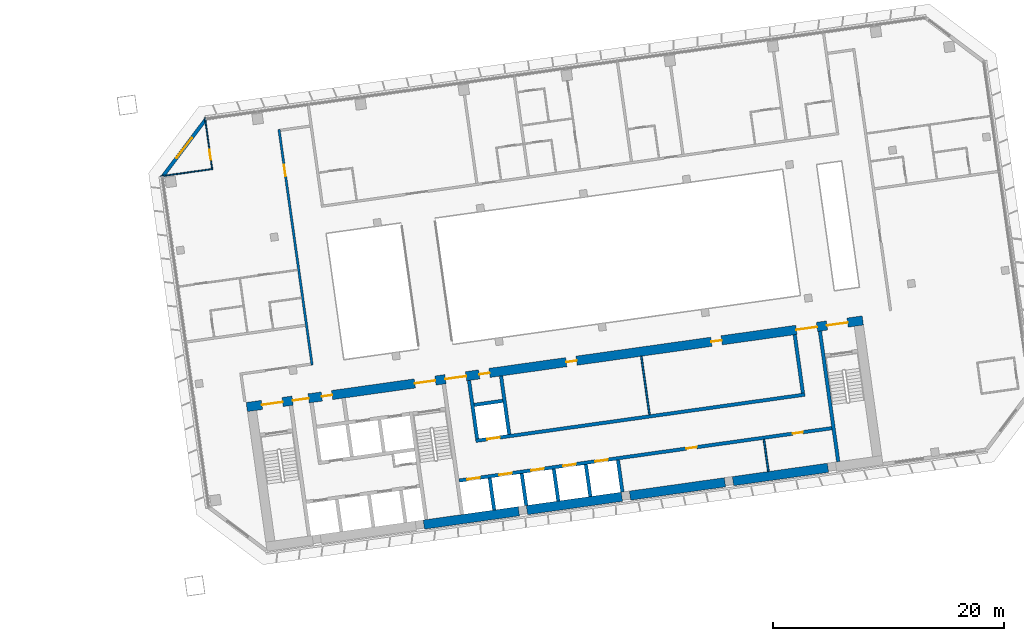
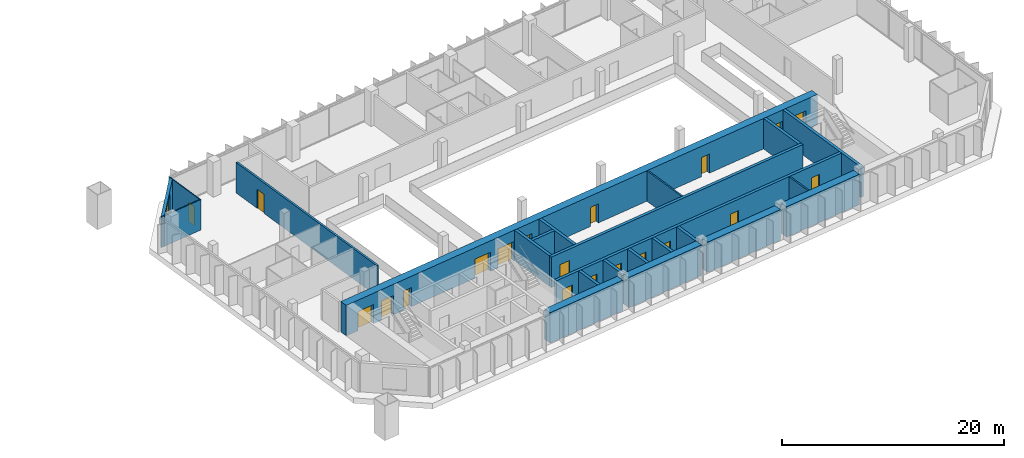
# One storey, part 19 of 25: 23 walls, 20 doors, 1 window, 21 openings.
"""IFC4 building model written with IfcOpenShell, lengths in metres."""

from ifc_helpers import new_model, si_unit, direction, frame, frame_2d, origin, place, context, subcontext, project, spatial, rectangle, extrude, material, layer, layer_set, type_object, element, fill, save


model = new_model("IFC4")

# Units and contexts
model_context = context("Model", 3, precision=1e-05, world=origin(), true_north=direction((0.0, 1.0)))
body_context = subcontext(model_context, "Body", "Model", "MODEL_VIEW")
ifc_project = project(units=[si_unit("LENGTHUNIT", "METRE"), si_unit("AREAUNIT", "SQUARE_METRE"), si_unit("VOLUMEUNIT", "CUBIC_METRE"), si_unit("PLANEANGLEUNIT", "RADIAN"), si_unit("MASSUNIT", "GRAM", prefix="KILO")], contexts=[model_context])

# Site, building, storey
site_placement = place(None, origin())
site = spatial("IfcSite", under=ifc_project, at=site_placement, CompositionType="ELEMENT")
building_placement = place(site_placement, origin())
building = spatial("IfcBuilding", under=site, at=building_placement, Name="Mirante Cascada Hotel Towers", CompositionType="ELEMENT")
storey_placement = place(building_placement, frame((0.0, 0.0, 129.1)))
storey = spatial("IfcBuildingStorey", under=building, at=storey_placement, Name="L29", CompositionType="ELEMENT", Elevation=129.1)

# Wall, opening, door
ifc_material_1 = material(Name="Fire-rated plasterboard on metal studs")
ifc_layer_1 = layer(ifc_material_1, 0.2)
ifc_layer_set_1 = layer_set([ifc_layer_1], Name="Compartment wall 200 EI 120")
wall_type_1 = type_object("IfcWallType", Name="Compartment wall 200 EI 120", PredefinedType="PARTITIONING", material=ifc_layer_set_1)
wall_1_placement = place(storey_placement, frame((41.083, -3.9768, 0.0), z_axis=(0.0, 0.0, 1.0), x_axis=(-0.1391749, 0.9902678, 0.0)))
wall_1 = element("IfcWall", 1, at=wall_1_placement, inside=storey, type_object=wall_type_1, Name="Wall 2-L29-28", PredefinedType="PARTITIONING", context=body_context, shape_type="SweptSolid", body=[
    extrude(rectangle(XDim=20.6, YDim=0.2, at=frame_2d((10.3, 0.0))), origin(), (0.0, 0.0, 1.0), 3.35),
])
opening_1_placement = place(wall_1_placement, frame((16.5, 0.0, 0.0)))
opening_1 = element("IfcOpeningElement", 2, at=opening_1_placement, cuts=wall_1, Name="Opening D2-L29-21", PredefinedType="OPENING", context=body_context, shape_type="SweptSolid", body=[
    extrude(rectangle(XDim=1.0, YDim=2.1, at=frame_2d((0.5, 1.05))), frame((0.0, 0.1, 0.0), z_axis=(0.0, -1.0, 0.0), x_axis=(1.0, 0.0, 0.0)), (0.0, 0.0, 1.0), 0.2),
])
ifc_material_2 = material(Name="Fire-rated timber door leaf", Category="wood")
door_type_1 = type_object("IfcDoorType", Name="Entrance door DG1 1000x2100 EI 60", OperationType="SINGLE_SWING_LEFT", PredefinedType="DOOR", material=ifc_material_2)
door_1_placement = place(opening_1_placement, origin())
door_1 = element("IfcDoor", 3, at=door_1_placement, inside=storey, type_object=door_type_1, Name="Door D2-L29-21", OperationType="SINGLE_SWING_LEFT", OverallHeight=2.1, OverallWidth=1.0, PredefinedType="DOOR", context=body_context, shape_type="SweptSolid", body=[
    extrude(rectangle(XDim=1.0, YDim=2.1, at=frame_2d((0.5, 1.05))), frame((0.0, 0.025, 0.0), z_axis=(0.0, -1.0, 0.0), x_axis=(1.0, 0.0, 0.0)), (0.0, 0.0, 1.0), 0.05),
])
fill(opening_1, door_1)

# Walls
ifc_material_3 = material(Name="Masonry block", Category="masonry")
ifc_layer_2 = layer(ifc_material_3, 0.15)
ifc_layer_set_2 = layer_set([ifc_layer_2], Name="Core room partition 150 block EI 30")
wall_type_2 = type_object("IfcWallType", Name="Core room partition 150 block EI 30", PredefinedType="PARTITIONING", material=ifc_layer_set_2)
wall_2_placement = place(storey_placement, frame((80.547, -13.174, 0.0), z_axis=(0.0, 0.0, 1.0), x_axis=(-0.139176, 0.9902677, 0.0)))
element("IfcWall", 4, at=wall_2_placement, inside=storey, type_object=wall_type_2, Name="Core wall partition T2 L29 4", PredefinedType="PARTITIONING", context=body_context, shape_type="SweptSolid", body=[
    extrude(rectangle(XDim=2.8001, YDim=0.15, at=frame_2d((1.4, 0.0))), origin(), (0.0, 0.0, 1.0), 3.35),
])
wall_3_placement = place(storey_placement, frame((70.2627, -8.2574, 0.0), z_axis=(0.0, 0.0, 1.0), x_axis=(-0.1391755, 0.9902677, 0.0)))
element("IfcWall", 5, at=wall_3_placement, inside=storey, type_object=wall_type_2, Name="Core wall partition T2 L29 5", PredefinedType="PARTITIONING", context=body_context, shape_type="SweptSolid", body=[
    extrude(rectangle(XDim=5.1, YDim=0.15, at=frame_2d((2.55, 0.0))), origin(), (0.0, 0.0, 1.0), 3.35),
])
ifc_material_4 = material(Name="Plasterboard on metal studs")
ifc_layer_3 = layer(ifc_material_4, 0.1)
ifc_layer_set_3 = layer_set([ifc_layer_3], Name="Partition 100")
wall_type_3 = type_object("IfcWallType", Name="Partition 100", PredefinedType="PARTITIONING", material=ifc_layer_set_3)
wall_4_placement = place(storey_placement, frame((27.982, 12.3589, 0.0), z_axis=(0.0, 0.0, 1.0), x_axis=(0.9902691, 0.1391656, 0.0)))
element("IfcWall", 6, at=wall_4_placement, inside=storey, type_object=wall_type_3, Name="Wall 2-L29-18", PredefinedType="PARTITIONING", context=body_context, shape_type="SweptSolid", body=[
    extrude(rectangle(XDim=4.55, YDim=0.1, at=frame_2d((2.275, 0.0))), origin(), (0.0, 0.0, 1.0), 3.35),
])

# Wall, opening, door
wall_5_placement = place(storey_placement, frame((31.8119, 17.4414, 0.0), z_axis=(0.0, 0.0, 1.0), x_axis=(0.1391684, -0.9902687, 0.0)))
wall_5 = element("IfcWall", 7, at=wall_5_placement, inside=storey, type_object=wall_type_3, Name="Wall 2-L29-25", PredefinedType="PARTITIONING", context=body_context, shape_type="SweptSolid", body=[
    extrude(rectangle(XDim=4.45, YDim=0.1, at=frame_2d((2.225, 0.0))), origin(), (0.0, 0.0, 1.0), 3.35),
])
opening_2_placement = place(wall_5_placement, frame((2.8, 0.0, 0.0)))
opening_2 = element("IfcOpeningElement", 8, at=opening_2_placement, cuts=wall_5, Name="Opening D2-L29-19", PredefinedType="OPENING", context=body_context, shape_type="SweptSolid", body=[
    extrude(rectangle(XDim=0.9, YDim=2.1, at=frame_2d((0.45, 1.05))), frame((0.0, 0.05, 0.0), z_axis=(0.0, -1.0, 0.0), x_axis=(1.0, 0.0, 0.0)), (0.0, 0.0, 1.0), 0.1),
])
ifc_material_5 = material(Name="Timber door leaf", Category="wood")
door_type_2 = type_object("IfcDoorType", Name="Room door DG3 900x2100", OperationType="SINGLE_SWING_LEFT", PredefinedType="DOOR", material=ifc_material_5)
door_2_placement = place(opening_2_placement, origin())
door_2 = element("IfcDoor", 9, at=door_2_placement, inside=storey, type_object=door_type_2, Name="Door D2-L29-19", OperationType="SINGLE_SWING_LEFT", OverallHeight=2.1, OverallWidth=0.9, PredefinedType="DOOR", context=body_context, shape_type="SweptSolid", body=[
    extrude(rectangle(XDim=0.9, YDim=2.1, at=frame_2d((0.45, 1.05))), frame((0.0, 0.025, 0.0), z_axis=(0.0, -1.0, 0.0), x_axis=(1.0, 0.0, 0.0)), (0.0, 0.0, 1.0), 0.05),
])
fill(opening_2, door_2)

# Wall, opening, window
ifc_material_6 = material(Name="Precast concrete C40/50", Category="concrete")
ifc_layer_4 = layer(ifc_material_6, 0.3)
ifc_layer_set_4 = layer_set([ifc_layer_4], Name="Precast concrete C40/50 cladding wall 300")
wall_type_4 = type_object("IfcWallType", Name="Precast concrete C40/50 cladding wall 300", PredefinedType="STANDARD", material=ifc_layer_set_4)
wall_6_placement = place(storey_placement, frame((31.857, 17.252, 0.0), z_axis=(0.0, 0.0, 1.0), x_axis=(-0.6018141, -0.7986362, 0.0)))
wall_6 = element("IfcWall", 10, at=wall_6_placement, inside=storey, type_object=wall_type_4, Name="Corner cladding wall T2 L29 front inner", PredefinedType="STANDARD", context=body_context, shape_type="SweptSolid", body=[
    extrude(rectangle(XDim=6.1157, YDim=0.3, at=frame_2d((3.0578, 0.0))), origin(), (0.0, 0.0, 1.0), 3.35),
])
opening_3_placement = place(wall_6_placement, frame((1.9578, 0.0, 0.6)))
opening_3 = element("IfcOpeningElement", 11, at=opening_3_placement, cuts=wall_6, Name="Opening W2-29-05", PredefinedType="OPENING", context=body_context, shape_type="SweptSolid", body=[
    extrude(rectangle(XDim=2.2, YDim=2.4, at=frame_2d((1.1, 1.2))), frame((0.0, 0.15, 0.0), z_axis=(0.0, -1.0, 0.0), x_axis=(1.0, 0.0, 0.0)), (0.0, 0.0, 1.0), 0.3),
])
ifc_material_7 = material(Name="Aluminium frame with clear double glazing", Category="aluminium")
window_type = type_object("IfcWindowType", Name="Corner suite window 2200x2400", PartitioningType="DOUBLE_PANEL_VERTICAL", PredefinedType="WINDOW", material=ifc_material_7)
window_placement = place(opening_3_placement, origin())
window = element("IfcWindow", 12, at=window_placement, inside=storey, type_object=window_type, Name="Window W2-29-05", OverallHeight=2.4, OverallWidth=2.2, PartitioningType="SINGLE_PANEL", PredefinedType="WINDOW", context=body_context, shape_type="SweptSolid", body=[
    extrude(rectangle(XDim=2.2, YDim=2.4, at=frame_2d((1.1, 1.2))), frame((0.0, 0.03, 0.0), z_axis=(0.0, -1.0, 0.0), x_axis=(1.0, 0.0, 0.0)), (0.0, 0.0, 1.0), 0.06),
])
fill(opening_3, window)

# Wall
ifc_material_8 = material(Name="Concrete C50/60", Category="concrete")
ifc_layer_5 = layer(ifc_material_8, 0.3)
ifc_layer_set_5 = layer_set([ifc_layer_5], Name="RC core wall 300 C50/60")
wall_type_5 = type_object("IfcWallType", Name="RC core wall 300 C50/60", PredefinedType="SHEAR", material=ifc_layer_set_5)
wall_7_placement = place(storey_placement, frame((86.5877, -12.325, 0.0), z_axis=(0.0, 0.0, 1.0), x_axis=(-0.1391749, 0.9902678, 0.0)))
element("IfcWall", 13, at=wall_7_placement, inside=storey, type_object=wall_type_5, Name="Core wall T2:L29:8", PredefinedType="SHEAR", context=body_context, shape_type="SweptSolid", body=[
    extrude(rectangle(XDim=11.4, YDim=0.3, at=frame_2d((5.7, 0.0))), origin(), (0.0, 0.0, 1.0), 3.35),
])

# Wall, openings, doors
wall_8_placement = place(storey_placement, frame((53.7953, -13.9547, 0.0), z_axis=(0.0, 0.0, 1.0), x_axis=(0.990268, 0.1391733, 0.0)))
wall_8 = element("IfcWall", 14, at=wall_8_placement, inside=storey, type_object=wall_type_5, Name="Core wall T2:L29:24", PredefinedType="SHEAR", context=body_context, shape_type="SweptSolid", body=[
    extrude(rectangle(XDim=32.5501, YDim=0.3, at=frame_2d((16.275, 0.0))), origin(), (0.0, 0.0, 1.0), 3.35),
])
opening_4_placement = place(wall_8_placement, frame((0.7, 0.0, 0.0)))
opening_4 = element("IfcOpeningElement", 15, at=opening_4_placement, cuts=wall_8, Name="Opening LD", PredefinedType="OPENING", context=body_context, shape_type="SweptSolid", body=[
    extrude(rectangle(XDim=1.1, YDim=2.1, at=frame_2d((0.55, 1.05))), frame((0.0, 0.15, 0.0), z_axis=(0.0, -1.0, 0.0), x_axis=(1.0, 0.0, 0.0)), (0.0, 0.0, 1.0), 0.3),
])
opening_5_placement = place(wall_8_placement, frame((3.5, 0.0, 0.0)))
opening_5 = element("IfcOpeningElement", 16, at=opening_5_placement, cuts=wall_8, Name="Opening LD", PredefinedType="OPENING", context=body_context, shape_type="SweptSolid", body=[
    extrude(rectangle(XDim=1.1, YDim=2.1, at=frame_2d((0.55, 1.05))), frame((0.0, 0.15, 0.0), z_axis=(0.0, -1.0, 0.0), x_axis=(1.0, 0.0, 0.0)), (0.0, 0.0, 1.0), 0.3),
])
opening_6_placement = place(wall_8_placement, frame((6.3, 0.0, 0.0)))
opening_6 = element("IfcOpeningElement", 17, at=opening_6_placement, cuts=wall_8, Name="Opening LD", PredefinedType="OPENING", context=body_context, shape_type="SweptSolid", body=[
    extrude(rectangle(XDim=1.1, YDim=2.1, at=frame_2d((0.55, 1.05))), frame((0.0, 0.15, 0.0), z_axis=(0.0, -1.0, 0.0), x_axis=(1.0, 0.0, 0.0)), (0.0, 0.0, 1.0), 0.3),
])
opening_7_placement = place(wall_8_placement, frame((9.1, 0.0, 0.0)))
opening_7 = element("IfcOpeningElement", 18, at=opening_7_placement, cuts=wall_8, Name="Opening LD", PredefinedType="OPENING", context=body_context, shape_type="SweptSolid", body=[
    extrude(rectangle(XDim=1.1, YDim=2.1, at=frame_2d((0.55, 1.05))), frame((0.0, 0.15, 0.0), z_axis=(0.0, -1.0, 0.0), x_axis=(1.0, 0.0, 0.0)), (0.0, 0.0, 1.0), 0.3),
])
opening_8_placement = place(wall_8_placement, frame((11.9, 0.0, 0.0)))
opening_8 = element("IfcOpeningElement", 19, at=opening_8_placement, cuts=wall_8, Name="Opening LD", PredefinedType="OPENING", context=body_context, shape_type="SweptSolid", body=[
    extrude(rectangle(XDim=1.1, YDim=2.1, at=frame_2d((0.55, 1.05))), frame((0.0, 0.15, 0.0), z_axis=(0.0, -1.0, 0.0), x_axis=(1.0, 0.0, 0.0)), (0.0, 0.0, 1.0), 0.3),
])
opening_9_placement = place(wall_8_placement, frame((19.85, 0.0, 0.0)))
opening_9 = element("IfcOpeningElement", 20, at=opening_9_placement, cuts=wall_8, Name="Opening D2-29-C25", PredefinedType="OPENING", context=body_context, shape_type="SweptSolid", body=[
    extrude(rectangle(XDim=0.9, YDim=2.1, at=frame_2d((0.45, 1.05))), frame((0.0, 0.15, 0.0), z_axis=(0.0, -1.0, 0.0), x_axis=(1.0, 0.0, 0.0)), (0.0, 0.0, 1.0), 0.3),
])
opening_10_placement = place(wall_8_placement, frame((29.125, 0.0, 0.0)))
opening_10 = element("IfcOpeningElement", 21, at=opening_10_placement, cuts=wall_8, Name="Opening D2-29-C26", PredefinedType="OPENING", context=body_context, shape_type="SweptSolid", body=[
    extrude(rectangle(XDim=0.9, YDim=2.1, at=frame_2d((0.45, 1.05))), frame((0.0, 0.15, 0.0), z_axis=(0.0, -1.0, 0.0), x_axis=(1.0, 0.0, 0.0)), (0.0, 0.0, 1.0), 0.3),
])
ifc_material_9 = material(Name="Hollow metal fire door leaf")
door_type_3 = type_object("IfcDoorType", Name="Fire door 900x2100 FD60", OperationType="NOTDEFINED", PredefinedType="DOOR", material=ifc_material_9)
door_3_placement = place(opening_9_placement, frame((0.9, 0.0, 0.0), z_axis=(0.0, 0.0, 1.0), x_axis=(-1.0, 0.0, 0.0)))
door_3 = element("IfcDoor", 22, at=door_3_placement, inside=storey, type_object=door_type_3, Name="Room door T2 L29 25", OperationType="SINGLE_SWING_RIGHT", OverallHeight=2.1, OverallWidth=0.9, PredefinedType="DOOR", context=body_context, shape_type="SweptSolid", body=[
    extrude(rectangle(XDim=0.9, YDim=2.1, at=frame_2d((0.45, 1.05))), frame((0.0, 0.025, 0.0), z_axis=(0.0, -1.0, 0.0), x_axis=(1.0, 0.0, 0.0)), (0.0, 0.0, 1.0), 0.05),
])
fill(opening_9, door_3)
door_4_placement = place(opening_10_placement, frame((0.9, 0.0, 0.0), z_axis=(0.0, 0.0, 1.0), x_axis=(-1.0, 0.0, 0.0)))
door_4 = element("IfcDoor", 23, at=door_4_placement, inside=storey, type_object=door_type_3, Name="Room door T2 L29 26", OperationType="SINGLE_SWING_RIGHT", OverallHeight=2.1, OverallWidth=0.9, PredefinedType="DOOR", context=body_context, shape_type="SweptSolid", body=[
    extrude(rectangle(XDim=0.9, YDim=2.1, at=frame_2d((0.45, 1.05))), frame((0.0, 0.025, 0.0), z_axis=(0.0, -1.0, 0.0), x_axis=(1.0, 0.0, 0.0)), (0.0, 0.0, 1.0), 0.05),
])
fill(opening_10, door_4)
ifc_material_10 = material(Name="Stainless steel", Category="steel")
door_type_4 = type_object("IfcDoorType", Name="Lift landing door 1100x2100 EI 120", OperationType="DOUBLE_DOOR_SLIDING", PredefinedType="DOOR", material=ifc_material_10)
door_5_placement = place(opening_4_placement, origin())
door_5 = element("IfcDoor", 24, at=door_5_placement, inside=storey, type_object=door_type_4, Name="Lift landing door LR2-1 L29", OperationType="DOUBLE_DOOR_SLIDING", OverallHeight=2.1, OverallWidth=1.1, PredefinedType="DOOR", context=body_context, shape_type="SweptSolid", body=[
    extrude(rectangle(XDim=0.545, YDim=2.1, at=frame_2d((0.2725, 1.05))), frame((0.0, 0.025, 0.0), z_axis=(0.0, -1.0, 0.0), x_axis=(1.0, 0.0, 0.0)), (0.0, 0.0, 1.0), 0.05),
    extrude(rectangle(XDim=0.545, YDim=2.1, at=frame_2d((0.8275, 1.05))), frame((0.0, 0.025, 0.0), z_axis=(0.0, -1.0, 0.0), x_axis=(1.0, 0.0, 0.0)), (0.0, 0.0, 1.0), 0.05),
])
fill(opening_4, door_5)
door_6_placement = place(opening_5_placement, origin())
door_6 = element("IfcDoor", 25, at=door_6_placement, inside=storey, type_object=door_type_4, Name="Lift landing door LR2-2 L29", OperationType="DOUBLE_DOOR_SLIDING", OverallHeight=2.1, OverallWidth=1.1, PredefinedType="DOOR", context=body_context, shape_type="SweptSolid", body=[
    extrude(rectangle(XDim=0.545, YDim=2.1, at=frame_2d((0.2725, 1.05))), frame((0.0, 0.025, 0.0), z_axis=(0.0, -1.0, 0.0), x_axis=(1.0, 0.0, 0.0)), (0.0, 0.0, 1.0), 0.05),
    extrude(rectangle(XDim=0.545, YDim=2.1, at=frame_2d((0.8275, 1.05))), frame((0.0, 0.025, 0.0), z_axis=(0.0, -1.0, 0.0), x_axis=(1.0, 0.0, 0.0)), (0.0, 0.0, 1.0), 0.05),
])
fill(opening_5, door_6)
door_7_placement = place(opening_6_placement, origin())
door_7 = element("IfcDoor", 26, at=door_7_placement, inside=storey, type_object=door_type_4, Name="Lift landing door SV2-1 L29", OperationType="DOUBLE_DOOR_SLIDING", OverallHeight=2.1, OverallWidth=1.1, PredefinedType="DOOR", context=body_context, shape_type="SweptSolid", body=[
    extrude(rectangle(XDim=0.545, YDim=2.1, at=frame_2d((0.2725, 1.05))), frame((0.0, 0.025, 0.0), z_axis=(0.0, -1.0, 0.0), x_axis=(1.0, 0.0, 0.0)), (0.0, 0.0, 1.0), 0.05),
    extrude(rectangle(XDim=0.545, YDim=2.1, at=frame_2d((0.8275, 1.05))), frame((0.0, 0.025, 0.0), z_axis=(0.0, -1.0, 0.0), x_axis=(1.0, 0.0, 0.0)), (0.0, 0.0, 1.0), 0.05),
])
fill(opening_6, door_7)
door_8_placement = place(opening_7_placement, origin())
door_8 = element("IfcDoor", 27, at=door_8_placement, inside=storey, type_object=door_type_4, Name="Lift landing door SV2-2 L29", OperationType="DOUBLE_DOOR_SLIDING", OverallHeight=2.1, OverallWidth=1.1, PredefinedType="DOOR", context=body_context, shape_type="SweptSolid", body=[
    extrude(rectangle(XDim=0.545, YDim=2.1, at=frame_2d((0.2725, 1.05))), frame((0.0, 0.025, 0.0), z_axis=(0.0, -1.0, 0.0), x_axis=(1.0, 0.0, 0.0)), (0.0, 0.0, 1.0), 0.05),
    extrude(rectangle(XDim=0.545, YDim=2.1, at=frame_2d((0.8275, 1.05))), frame((0.0, 0.025, 0.0), z_axis=(0.0, -1.0, 0.0), x_axis=(1.0, 0.0, 0.0)), (0.0, 0.0, 1.0), 0.05),
])
fill(opening_7, door_8)
door_9_placement = place(opening_8_placement, origin())
door_9 = element("IfcDoor", 28, at=door_9_placement, inside=storey, type_object=door_type_4, Name="Lift landing door SV2-3 L29", OperationType="DOUBLE_DOOR_SLIDING", OverallHeight=2.1, OverallWidth=1.1, PredefinedType="DOOR", context=body_context, shape_type="SweptSolid", body=[
    extrude(rectangle(XDim=0.545, YDim=2.1, at=frame_2d((0.2725, 1.05))), frame((0.0, 0.025, 0.0), z_axis=(0.0, -1.0, 0.0), x_axis=(1.0, 0.0, 0.0)), (0.0, 0.0, 1.0), 0.05),
    extrude(rectangle(XDim=0.545, YDim=2.1, at=frame_2d((0.8275, 1.05))), frame((0.0, 0.025, 0.0), z_axis=(0.0, -1.0, 0.0), x_axis=(1.0, 0.0, 0.0)), (0.0, 0.0, 1.0), 0.05),
])
fill(opening_8, door_9)

# Walls
for number, where, z_axis, x_axis, name in (
    (29, (56.8301, -16.5072, 0.0), (0.0, 0.0, 1.0), (-0.139176, 0.9902677, 0.0), "Core wall T2:L29:25"),
    (30, (59.6029, -16.1175, 0.0), (0.0, 0.0, 1.0), (-0.139176, 0.9902677, 0.0), "Core wall T2:L29:26"),
    (31, (62.3756, -15.7278, 0.0), (0.0, 0.0, 1.0), (-0.139176, 0.9902677, 0.0), "Core wall T2:L29:27"),
    (32, (65.1484, -15.3381, 0.0), (0.0, 0.0, 1.0), (-0.139176, 0.9902677, 0.0), "Core wall T2:L29:28"),
):
    element("IfcWall", number, at=place(storey_placement, frame(where, z_axis=z_axis, x_axis=x_axis)), inside=storey, type_object=wall_type_5, Name=name, PredefinedType="SHEAR", context=body_context, shape_type="SweptSolid", body=[
        extrude(rectangle(XDim=2.8001, YDim=0.3, at=frame_2d((1.4, 0.0))), origin(), (0.0, 0.0, 1.0), 3.35),
    ])
wall_9_placement = place(storey_placement, frame((67.9211, -14.9484, 0.0), z_axis=(0.0, 0.0, 1.0), x_axis=(-0.139181, 0.990267, 0.0)))
element("IfcWall", 33, at=wall_9_placement, inside=storey, type_object=wall_type_5, Name="Core wall T2:L29:29", PredefinedType="SHEAR", context=body_context, shape_type="SweptSolid", body=[
    extrude(rectangle(XDim=2.8, YDim=0.3, at=frame_2d((1.4, 0.0))), origin(), (0.0, 0.0, 1.0), 3.35),
])

# Wall, opening, door
wall_10_placement = place(storey_placement, frame((55.2315, -10.5214, 0.0), z_axis=(0.0, 0.0, 1.0), x_axis=(0.9902682, 0.1391722, 0.0)))
wall_10 = element("IfcWall", 34, at=wall_10_placement, inside=storey, type_object=wall_type_5, Name="Core wall T2:L29:31", PredefinedType="SHEAR", context=body_context, shape_type="SweptSolid", body=[
    extrude(rectangle(XDim=28.75, YDim=0.3, at=frame_2d((14.375, 0.0))), origin(), (0.0, 0.0, 1.0), 3.35),
])
opening_11_placement = place(wall_10_placement, frame((1.0, 0.0, 0.0)))
opening_11 = element("IfcOpeningElement", 35, at=opening_11_placement, cuts=wall_10, Name="Opening LD", PredefinedType="OPENING", context=body_context, shape_type="SweptSolid", body=[
    extrude(rectangle(XDim=1.1, YDim=2.1, at=frame_2d((0.55, 1.05))), frame((0.0, 0.15, 0.0), z_axis=(0.0, -1.0, 0.0), x_axis=(1.0, 0.0, 0.0)), (0.0, 0.0, 1.0), 0.3),
])
door_10_placement = place(opening_11_placement, origin())
door_10 = element("IfcDoor", 36, at=door_10_placement, inside=storey, type_object=door_type_4, Name="Lift landing door LR2-3 L29", OperationType="DOUBLE_DOOR_SLIDING", OverallHeight=2.1, OverallWidth=1.1, PredefinedType="DOOR", context=body_context, shape_type="SweptSolid", body=[
    extrude(rectangle(XDim=0.545, YDim=2.1, at=frame_2d((0.2725, 1.05))), frame((0.0, 0.025, 0.0), z_axis=(0.0, -1.0, 0.0), x_axis=(1.0, 0.0, 0.0)), (0.0, 0.0, 1.0), 0.05),
    extrude(rectangle(XDim=0.545, YDim=2.1, at=frame_2d((0.8275, 1.05))), frame((0.0, 0.025, 0.0), z_axis=(0.0, -1.0, 0.0), x_axis=(1.0, 0.0, 0.0)), (0.0, 0.0, 1.0), 0.05),
])
fill(opening_11, door_10)

# Walls
for number, where, z_axis, x_axis, name in (
    (37, (55.3592, -10.352, 0.0), (0.0, 0.0, 1.0), (-0.1391755, 0.9902677, 0.0), "Core wall T2:L29:32"),
    (38, (83.5323, -6.3925, 0.0), (0.0, 0.0, 1.0), (-0.1391755, 0.9902677, 0.0), "Core wall T2:L29:33"),
    (39, (58.1319, -9.9623, 0.0), (0.0, 0.0, 1.0), (-0.1391755, 0.9902677, 0.0), "Core wall T2:L29:34"),
):
    element("IfcWall", number, at=place(storey_placement, frame(where, z_axis=z_axis, x_axis=x_axis)), inside=storey, type_object=wall_type_5, Name=name, PredefinedType="SHEAR", context=body_context, shape_type="SweptSolid", body=[
        extrude(rectangle(XDim=5.1, YDim=0.3, at=frame_2d((2.55, 0.0))), origin(), (0.0, 0.0, 1.0), 3.35),
    ])
wall_11_placement = place(storey_placement, frame((55.0971, -7.4098, 0.0), z_axis=(0.0, 0.0, 1.0), x_axis=(0.9902701, 0.1391586, 0.0)))
element("IfcWall", 40, at=wall_11_placement, inside=storey, type_object=wall_type_5, Name="Core wall T2:L29:35", PredefinedType="SHEAR", context=body_context, shape_type="SweptSolid", body=[
    extrude(rectangle(XDim=2.5, YDim=0.3, at=frame_2d((1.25, 0.0))), origin(), (0.0, 0.0, 1.0), 3.35),
])
ifc_material_11 = material(Name="Concrete C50/60", Category="concrete")
ifc_layer_6 = layer(ifc_material_11, 0.8)
ifc_layer_set_6 = layer_set([ifc_layer_6], Name="RC core wall 800 C50/60")
wall_type_6 = type_object("IfcWallType", Name="RC core wall 800 C50/60", PredefinedType="SHEAR", material=ifc_layer_set_6)
wall_12_placement = place(storey_placement, frame((50.7461, -17.7661, 0.0), z_axis=(0.0, 0.0, 1.0), x_axis=(0.9902686, 0.1391692, 0.0)))
element("IfcWall", 41, at=wall_12_placement, inside=storey, type_object=wall_type_6, Name="Core wall T2:L29:1.3", PredefinedType="SHEAR", context=body_context, shape_type="SweptSolid", body=[
    extrude(rectangle(XDim=8.3, YDim=0.8, at=frame_2d((4.15, 0.0))), origin(), (0.0, 0.0, 1.0), 3.35),
])
for number, where, z_axis, x_axis, name in (
    (42, (59.6585, -16.5136, 0.0), (0.0, 0.0, 1.0), (0.9902672, 0.1391793, 0.0), "Core wall T2:L29:1.4"),
    (43, (68.5709, -15.261, 0.0), (0.0, 0.0, 1.0), (0.9902689, 0.1391675, 0.0), "Core wall T2:L29:1.5"),
):
    element("IfcWall", number, at=place(storey_placement, frame(where, z_axis=z_axis, x_axis=x_axis)), inside=storey, type_object=wall_type_6, Name=name, PredefinedType="SHEAR", context=body_context, shape_type="SweptSolid", body=[
        extrude(rectangle(XDim=8.3001, YDim=0.8, at=frame_2d((4.15, 0.0))), origin(), (0.0, 0.0, 1.0), 3.35),
    ])
wall_13_placement = place(storey_placement, frame((77.4834, -14.0085, 0.0), z_axis=(0.0, 0.0, 1.0), x_axis=(0.990267, 0.139181, 0.0)))
element("IfcWall", 44, at=wall_13_placement, inside=storey, type_object=wall_type_6, Name="Core wall T2:L29:1.6", PredefinedType="SHEAR", context=body_context, shape_type="SweptSolid", body=[
    extrude(rectangle(XDim=8.3, YDim=0.8, at=frame_2d((4.15, 0.0))), origin(), (0.0, 0.0, 1.0), 3.35),
])

# Wall, openings, doors
wall_14_placement = place(storey_placement, frame((35.432, -7.5985, 0.0), z_axis=(0.0, 0.0, 1.0), x_axis=(0.9902681, 0.1391729, 0.0)))
wall_14 = element("IfcWall", 45, at=wall_14_placement, inside=storey, type_object=wall_type_6, Name="Core wall T2:L29:2", PredefinedType="SHEAR", context=body_context, shape_type="SweptSolid", body=[
    extrude(rectangle(XDim=53.8, YDim=0.8, at=frame_2d((26.9, 0.0))), origin(), (0.0, 0.0, 1.0), 3.35),
])
opening_12_placement = place(wall_14_placement, frame((1.325, 0.0, 0.0)))
opening_12 = element("IfcOpeningElement", 46, at=opening_12_placement, cuts=wall_14, Name="Opening D2-29-C14", PredefinedType="OPENING", context=body_context, shape_type="SweptSolid", body=[
    extrude(rectangle(XDim=1.8, YDim=2.1, at=frame_2d((0.9, 1.05))), frame((0.0, 0.4, 0.0), z_axis=(0.0, -1.0, 0.0), x_axis=(1.0, 0.0, 0.0)), (0.0, 0.0, 1.0), 0.8),
])
opening_13_placement = place(wall_14_placement, frame((14.675, 0.0, 0.0)))
opening_13 = element("IfcOpeningElement", 47, at=opening_13_placement, cuts=wall_14, Name="Opening D2-29-C16", PredefinedType="OPENING", context=body_context, shape_type="SweptSolid", body=[
    extrude(rectangle(XDim=1.8, YDim=2.1, at=frame_2d((0.9, 1.05))), frame((0.0, 0.4, 0.0), z_axis=(0.0, -1.0, 0.0), x_axis=(1.0, 0.0, 0.0)), (0.0, 0.0, 1.0), 0.8),
])
opening_14_placement = place(wall_14_placement, frame((50.675, 0.0, 0.0)))
opening_14 = element("IfcOpeningElement", 48, at=opening_14_placement, cuts=wall_14, Name="Opening D2-29-C18", PredefinedType="OPENING", context=body_context, shape_type="SweptSolid", body=[
    extrude(rectangle(XDim=1.8, YDim=2.1, at=frame_2d((0.9, 1.05))), frame((0.0, 0.4, 0.0), z_axis=(0.0, -1.0, 0.0), x_axis=(1.0, 0.0, 0.0)), (0.0, 0.0, 1.0), 0.8),
])
opening_15_placement = place(wall_14_placement, frame((4.0, 0.0, 0.0)))
opening_15 = element("IfcOpeningElement", 49, at=opening_15_placement, cuts=wall_14, Name="Opening D2-29-C19", PredefinedType="OPENING", context=body_context, shape_type="SweptSolid", body=[
    extrude(rectangle(XDim=1.4, YDim=2.1, at=frame_2d((0.7, 1.05))), frame((0.0, 0.4, 0.0), z_axis=(0.0, -1.0, 0.0), x_axis=(1.0, 0.0, 0.0)), (0.0, 0.0, 1.0), 0.8),
])
opening_16_placement = place(wall_14_placement, frame((17.35, 0.0, 0.0)))
opening_16 = element("IfcOpeningElement", 50, at=opening_16_placement, cuts=wall_14, Name="Opening D2-29-C20", PredefinedType="OPENING", context=body_context, shape_type="SweptSolid", body=[
    extrude(rectangle(XDim=1.8, YDim=2.1, at=frame_2d((0.9, 1.05))), frame((0.0, 0.4, 0.0), z_axis=(0.0, -1.0, 0.0), x_axis=(1.0, 0.0, 0.0)), (0.0, 0.0, 1.0), 0.8),
])
opening_17_placement = place(wall_14_placement, frame((48.0, 0.0, 0.0)))
opening_17 = element("IfcOpeningElement", 51, at=opening_17_placement, cuts=wall_14, Name="Opening D2-29-C21", PredefinedType="OPENING", context=body_context, shape_type="SweptSolid", body=[
    extrude(rectangle(XDim=1.8, YDim=2.1, at=frame_2d((0.9, 1.05))), frame((0.0, 0.4, 0.0), z_axis=(0.0, -1.0, 0.0), x_axis=(1.0, 0.0, 0.0)), (0.0, 0.0, 1.0), 0.8),
])
opening_18_placement = place(wall_14_placement, frame((6.55, 0.0, 0.0)))
opening_18 = element("IfcOpeningElement", 52, at=opening_18_placement, cuts=wall_14, Name="Opening D2-29-C24", PredefinedType="OPENING", context=body_context, shape_type="SweptSolid", body=[
    extrude(rectangle(XDim=0.9, YDim=2.1, at=frame_2d((0.45, 1.05))), frame((0.0, 0.4, 0.0), z_axis=(0.0, -1.0, 0.0), x_axis=(1.0, 0.0, 0.0)), (0.0, 0.0, 1.0), 0.8),
])
opening_19_placement = place(wall_14_placement, frame((20.3, 0.0, 0.0)))
opening_19 = element("IfcOpeningElement", 53, at=opening_19_placement, cuts=wall_14, Name="Opening D2-29-C27", PredefinedType="OPENING", context=body_context, shape_type="SweptSolid", body=[
    extrude(rectangle(XDim=0.9, YDim=2.1, at=frame_2d((0.45, 1.05))), frame((0.0, 0.4, 0.0), z_axis=(0.0, -1.0, 0.0), x_axis=(1.0, 0.0, 0.0)), (0.0, 0.0, 1.0), 0.8),
])
opening_20_placement = place(wall_14_placement, frame((27.9, 0.0, 0.0)))
opening_20 = element("IfcOpeningElement", 54, at=opening_20_placement, cuts=wall_14, Name="Opening D2-29-C28", PredefinedType="OPENING", context=body_context, shape_type="SweptSolid", body=[
    extrude(rectangle(XDim=0.9, YDim=2.1, at=frame_2d((0.45, 1.05))), frame((0.0, 0.4, 0.0), z_axis=(0.0, -1.0, 0.0), x_axis=(1.0, 0.0, 0.0)), (0.0, 0.0, 1.0), 0.8),
])
opening_21_placement = place(wall_14_placement, frame((40.575, 0.0, 0.0)))
opening_21 = element("IfcOpeningElement", 55, at=opening_21_placement, cuts=wall_14, Name="Opening D2-29-C29", PredefinedType="OPENING", context=body_context, shape_type="SweptSolid", body=[
    extrude(rectangle(XDim=0.9, YDim=2.1, at=frame_2d((0.45, 1.05))), frame((0.0, 0.4, 0.0), z_axis=(0.0, -1.0, 0.0), x_axis=(1.0, 0.0, 0.0)), (0.0, 0.0, 1.0), 0.8),
])
ifc_material_12 = material(Name="Hollow metal fire door leaf")
door_type_5 = type_object("IfcDoorType", Name="Double fire door 1400x2100 FD60", OperationType="DOUBLE_DOOR_SINGLE_SWING", PredefinedType="DOOR", material=ifc_material_12)
door_11_placement = place(opening_15_placement, origin())
door_11 = element("IfcDoor", 56, at=door_11_placement, inside=storey, type_object=door_type_5, Name="Exit door to gallery T2 L29 19", OperationType="DOUBLE_DOOR_SINGLE_SWING", OverallHeight=2.1, OverallWidth=1.4, PredefinedType="DOOR", context=body_context, shape_type="SweptSolid", body=[
    extrude(rectangle(XDim=0.695, YDim=2.1, at=frame_2d((0.3475, 1.05))), frame((0.0, 0.025, 0.0), z_axis=(0.0, -1.0, 0.0), x_axis=(1.0, 0.0, 0.0)), (0.0, 0.0, 1.0), 0.05),
    extrude(rectangle(XDim=0.695, YDim=2.1, at=frame_2d((1.0525, 1.05))), frame((0.0, 0.025, 0.0), z_axis=(0.0, -1.0, 0.0), x_axis=(1.0, 0.0, 0.0)), (0.0, 0.0, 1.0), 0.05),
])
fill(opening_15, door_11)
ifc_material_13 = material(Name="Hollow metal fire door leaf")
door_type_6 = type_object("IfcDoorType", Name="Double fire door 1800x2100 FD60", OperationType="DOUBLE_DOOR_SINGLE_SWING", PredefinedType="DOOR", material=ifc_material_13)
door_12_placement = place(opening_12_placement, frame((1.8, 0.0, 0.0), z_axis=(0.0, 0.0, 1.0), x_axis=(-1.0, 0.0, 0.0)))
door_12 = element("IfcDoor", 57, at=door_12_placement, inside=storey, type_object=door_type_6, Name="Exit door to gallery T2 L29 14", OperationType="DOUBLE_DOOR_SINGLE_SWING", OverallHeight=2.1, OverallWidth=1.8, PredefinedType="DOOR", context=body_context, shape_type="SweptSolid", body=[
    extrude(rectangle(XDim=0.895, YDim=2.1, at=frame_2d((0.4475, 1.05))), frame((0.0, 0.025, 0.0), z_axis=(0.0, -1.0, 0.0), x_axis=(1.0, 0.0, 0.0)), (0.0, 0.0, 1.0), 0.05),
    extrude(rectangle(XDim=0.895, YDim=2.1, at=frame_2d((1.3525, 1.05))), frame((0.0, 0.025, 0.0), z_axis=(0.0, -1.0, 0.0), x_axis=(1.0, 0.0, 0.0)), (0.0, 0.0, 1.0), 0.05),
])
fill(opening_12, door_12)
door_13_placement = place(opening_13_placement, frame((1.8, 0.0, 0.0), z_axis=(0.0, 0.0, 1.0), x_axis=(-1.0, 0.0, 0.0)))
door_13 = element("IfcDoor", 58, at=door_13_placement, inside=storey, type_object=door_type_6, Name="Exit door to gallery T2 L29 16", OperationType="DOUBLE_DOOR_SINGLE_SWING", OverallHeight=2.1, OverallWidth=1.8, PredefinedType="DOOR", context=body_context, shape_type="SweptSolid", body=[
    extrude(rectangle(XDim=0.895, YDim=2.1, at=frame_2d((0.4475, 1.05))), frame((0.0, 0.025, 0.0), z_axis=(0.0, -1.0, 0.0), x_axis=(1.0, 0.0, 0.0)), (0.0, 0.0, 1.0), 0.05),
    extrude(rectangle(XDim=0.895, YDim=2.1, at=frame_2d((1.3525, 1.05))), frame((0.0, 0.025, 0.0), z_axis=(0.0, -1.0, 0.0), x_axis=(1.0, 0.0, 0.0)), (0.0, 0.0, 1.0), 0.05),
])
fill(opening_13, door_13)
door_14_placement = place(opening_14_placement, frame((1.8, 0.0, 0.0), z_axis=(0.0, 0.0, 1.0), x_axis=(-1.0, 0.0, 0.0)))
door_14 = element("IfcDoor", 59, at=door_14_placement, inside=storey, type_object=door_type_6, Name="Exit door to gallery T2 L29 18", OperationType="DOUBLE_DOOR_SINGLE_SWING", OverallHeight=2.1, OverallWidth=1.8, PredefinedType="DOOR", context=body_context, shape_type="SweptSolid", body=[
    extrude(rectangle(XDim=0.895, YDim=2.1, at=frame_2d((0.4475, 1.05))), frame((0.0, 0.025, 0.0), z_axis=(0.0, -1.0, 0.0), x_axis=(1.0, 0.0, 0.0)), (0.0, 0.0, 1.0), 0.05),
    extrude(rectangle(XDim=0.895, YDim=2.1, at=frame_2d((1.3525, 1.05))), frame((0.0, 0.025, 0.0), z_axis=(0.0, -1.0, 0.0), x_axis=(1.0, 0.0, 0.0)), (0.0, 0.0, 1.0), 0.05),
])
fill(opening_14, door_14)
door_15_placement = place(opening_16_placement, origin())
door_15 = element("IfcDoor", 60, at=door_15_placement, inside=storey, type_object=door_type_6, Name="Exit door to gallery T2 L29 20", OperationType="DOUBLE_DOOR_SINGLE_SWING", OverallHeight=2.1, OverallWidth=1.8, PredefinedType="DOOR", context=body_context, shape_type="SweptSolid", body=[
    extrude(rectangle(XDim=0.895, YDim=2.1, at=frame_2d((0.4475, 1.05))), frame((0.0, 0.025, 0.0), z_axis=(0.0, -1.0, 0.0), x_axis=(1.0, 0.0, 0.0)), (0.0, 0.0, 1.0), 0.05),
    extrude(rectangle(XDim=0.895, YDim=2.1, at=frame_2d((1.3525, 1.05))), frame((0.0, 0.025, 0.0), z_axis=(0.0, -1.0, 0.0), x_axis=(1.0, 0.0, 0.0)), (0.0, 0.0, 1.0), 0.05),
])
fill(opening_16, door_15)
door_16_placement = place(opening_17_placement, origin())
door_16 = element("IfcDoor", 61, at=door_16_placement, inside=storey, type_object=door_type_6, Name="Exit door to gallery T2 L29 21", OperationType="DOUBLE_DOOR_SINGLE_SWING", OverallHeight=2.1, OverallWidth=1.8, PredefinedType="DOOR", context=body_context, shape_type="SweptSolid", body=[
    extrude(rectangle(XDim=0.895, YDim=2.1, at=frame_2d((0.4475, 1.05))), frame((0.0, 0.025, 0.0), z_axis=(0.0, -1.0, 0.0), x_axis=(1.0, 0.0, 0.0)), (0.0, 0.0, 1.0), 0.05),
    extrude(rectangle(XDim=0.895, YDim=2.1, at=frame_2d((1.3525, 1.05))), frame((0.0, 0.025, 0.0), z_axis=(0.0, -1.0, 0.0), x_axis=(1.0, 0.0, 0.0)), (0.0, 0.0, 1.0), 0.05),
])
fill(opening_17, door_16)
door_17_placement = place(opening_18_placement, frame((0.9, 0.0, 0.0), z_axis=(0.0, 0.0, 1.0), x_axis=(-1.0, 0.0, 0.0)))
door_17 = element("IfcDoor", 62, at=door_17_placement, inside=storey, type_object=door_type_3, Name="Room door T2 L29 24", OperationType="SINGLE_SWING_LEFT", OverallHeight=2.1, OverallWidth=0.9, PredefinedType="DOOR", context=body_context, shape_type="SweptSolid", body=[
    extrude(rectangle(XDim=0.9, YDim=2.1, at=frame_2d((0.45, 1.05))), frame((0.0, 0.025, 0.0), z_axis=(0.0, -1.0, 0.0), x_axis=(1.0, 0.0, 0.0)), (0.0, 0.0, 1.0), 0.05),
])
fill(opening_18, door_17)
door_18_placement = place(opening_19_placement, frame((0.9, 0.0, 0.0), z_axis=(0.0, 0.0, 1.0), x_axis=(-1.0, 0.0, 0.0)))
door_18 = element("IfcDoor", 63, at=door_18_placement, inside=storey, type_object=door_type_3, Name="Room door T2 L29 27", OperationType="SINGLE_SWING_LEFT", OverallHeight=2.1, OverallWidth=0.9, PredefinedType="DOOR", context=body_context, shape_type="SweptSolid", body=[
    extrude(rectangle(XDim=0.9, YDim=2.1, at=frame_2d((0.45, 1.05))), frame((0.0, 0.025, 0.0), z_axis=(0.0, -1.0, 0.0), x_axis=(1.0, 0.0, 0.0)), (0.0, 0.0, 1.0), 0.05),
])
fill(opening_19, door_18)
door_19_placement = place(opening_20_placement, frame((0.9, 0.0, 0.0), z_axis=(0.0, 0.0, 1.0), x_axis=(-1.0, 0.0, 0.0)))
door_19 = element("IfcDoor", 64, at=door_19_placement, inside=storey, type_object=door_type_3, Name="Room door T2 L29 28", OperationType="SINGLE_SWING_RIGHT", OverallHeight=2.1, OverallWidth=0.9, PredefinedType="DOOR", context=body_context, shape_type="SweptSolid", body=[
    extrude(rectangle(XDim=0.9, YDim=2.1, at=frame_2d((0.45, 1.05))), frame((0.0, 0.025, 0.0), z_axis=(0.0, -1.0, 0.0), x_axis=(1.0, 0.0, 0.0)), (0.0, 0.0, 1.0), 0.05),
])
fill(opening_20, door_19)
door_20_placement = place(opening_21_placement, frame((0.9, 0.0, 0.0), z_axis=(0.0, 0.0, 1.0), x_axis=(-1.0, 0.0, 0.0)))
door_20 = element("IfcDoor", 65, at=door_20_placement, inside=storey, type_object=door_type_3, Name="Room door T2 L29 29", OperationType="SINGLE_SWING_RIGHT", OverallHeight=2.1, OverallWidth=0.9, PredefinedType="DOOR", context=body_context, shape_type="SweptSolid", body=[
    extrude(rectangle(XDim=0.9, YDim=2.1, at=frame_2d((0.45, 1.05))), frame((0.0, 0.025, 0.0), z_axis=(0.0, -1.0, 0.0), x_axis=(1.0, 0.0, 0.0)), (0.0, 0.0, 1.0), 0.05),
])
fill(opening_21, door_20)

save(model, "model.ifc")
